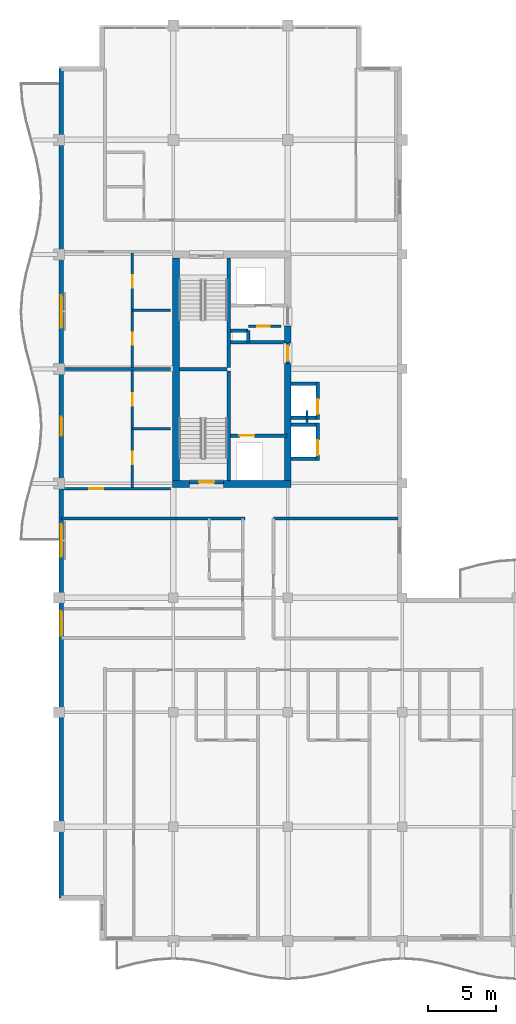
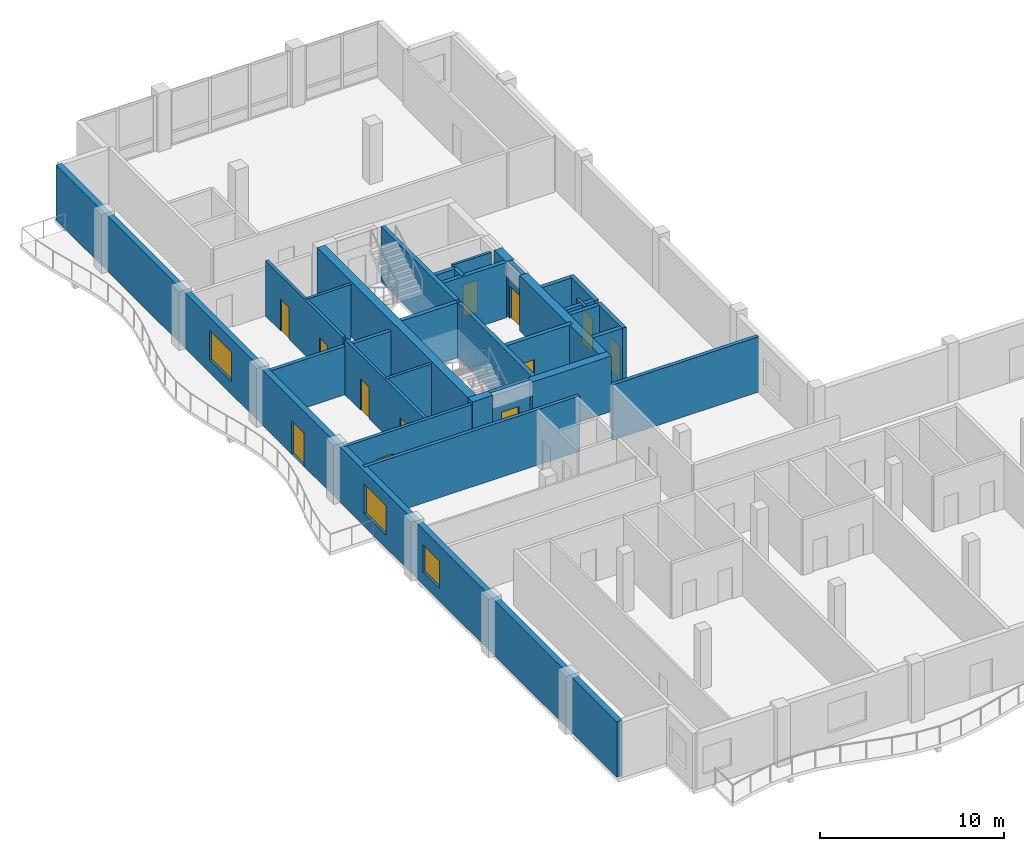
# One storey, part 9 of 17: 31 walls, 12 doors, 3 windows, 15 openings.
"""IFC4 building model written with IfcOpenShell, lengths in metres."""

from ifc_helpers import new_model, si_unit, direction, frame, frame_2d, origin, place, context, subcontext, project, spatial, rectangle, extrude, material, layer, layer_set, type_object, element, fill, save


model = new_model("IFC4")

# Units and contexts
model_context = context("Model", 3, precision=1e-05, world=origin(), true_north=direction((0.0, 1.0)))
body_context = subcontext(model_context, "Body", "Model", "MODEL_VIEW")
ifc_project = project(units=[si_unit("LENGTHUNIT", "METRE"), si_unit("AREAUNIT", "SQUARE_METRE"), si_unit("VOLUMEUNIT", "CUBIC_METRE"), si_unit("PLANEANGLEUNIT", "RADIAN"), si_unit("MASSUNIT", "GRAM", prefix="KILO")], contexts=[model_context])

# Site, building, storey
site_placement = place(None, origin())
site = spatial("IfcSite", under=ifc_project, at=site_placement, CompositionType="ELEMENT")
building_placement = place(site_placement, origin())
building = spatial("IfcBuilding", under=site, at=building_placement, Name="Koriwani Terraces Tower", CompositionType="ELEMENT")
storey_placement = place(building_placement, frame((0.0, 0.0, 316.39990234375)))
storey = spatial("IfcBuildingStorey", under=building, at=storey_placement, Name="L78", CompositionType="ELEMENT", Elevation=316.39990234375)

# Walls
ifc_material_1 = material(Name="Concrete C50/60", Category="concrete")
ifc_layer_1 = layer(ifc_material_1, 0.5, Name="Concrete C50/60")
ifc_layer_set_1 = layer_set([ifc_layer_1], Name="Concrete C50/60")
wall_type_1 = type_object("IfcWallType", Name="WALL_CORE_RC_500", PredefinedType="SHEAR", material=ifc_layer_set_1)
wall_1_placement = place(storey_placement, frame((16.75, 41.949951171875, 0.0), z_axis=(0.0, 0.0, 1.0), x_axis=(1.0, 0.0, 0.0)))
element("IfcWall", 1, at=wall_1_placement, inside=storey, type_object=wall_type_1, Name="L78 West Split Core Shear Wall S1", PredefinedType="SHEAR", context=body_context, shape_type="SweptSolid", body=[
    extrude(rectangle(XDim=1.25, YDim=0.5, at=frame_2d((0.625, 0.0))), origin(), (0.0, 0.0, 1.0), 3.670166015625),
])
wall_2_placement = place(storey_placement, frame((20.5, 41.949951171875, 0.0), z_axis=(0.0, 0.0, 1.0), x_axis=(1.0, 0.0, 0.0)))
element("IfcWall", 2, at=wall_2_placement, inside=storey, type_object=wall_type_1, Name="L78 West Split Core Shear Wall S2", PredefinedType="SHEAR", context=body_context, shape_type="SweptSolid", body=[
    extrude(rectangle(XDim=4.949951171875, YDim=0.5, at=frame_2d((2.47509765625, 0.0))), origin(), (0.0, 0.0, 1.0), 3.670166015625),
])
wall_3_placement = place(storey_placement, frame((17.0, 42.199951171875, 0.0), z_axis=(0.0, 0.0, 1.0), x_axis=(0.0, 1.0, 0.0)))
element("IfcWall", 3, at=wall_3_placement, inside=storey, type_object=wall_type_1, Name="L78 West Split Core Shear Wall W1", PredefinedType="SHEAR", context=body_context, shape_type="SweptSolid", body=[
    extrude(rectangle(XDim=16.35009765625, YDim=0.5, at=frame_2d((8.175048828125, 0.0))), origin(), (0.0, 0.0, 1.0), 3.670166015625),
])
wall_4_placement = place(storey_placement, frame((25.199951171875, 42.199951171875, 0.0), z_axis=(0.0, 0.0, 1.0), x_axis=(0.0, 1.0, 0.0)))
element("IfcWall", 4, at=wall_4_placement, inside=storey, type_object=wall_type_1, Name="L78 West Split Core Shear Wall E1", PredefinedType="SHEAR", context=body_context, shape_type="SweptSolid", body=[
    extrude(rectangle(XDim=8.60009765625, YDim=0.5, at=frame_2d((4.300048828125, 0.0))), origin(), (0.0, 0.0, 1.0), 3.670166015625),
])
wall_5_placement = place(storey_placement, frame((25.199951171875, 52.280029296875, 0.0), z_axis=(0.0, 0.0, 1.0), x_axis=(0.0, 1.0, 0.0)))
element("IfcWall", 5, at=wall_5_placement, inside=storey, type_object=wall_type_1, Name="L78 West Split Core Shear Wall E2", PredefinedType="SHEAR", context=body_context, shape_type="SweptSolid", body=[
    extrude(rectangle(XDim=1.27001953125, YDim=0.5, at=frame_2d((0.635009765625, 0.0))), origin(), (0.0, 0.0, 1.0), 3.670166015625),
])

# Wall, opening, door
ifc_material_2 = material(Name="Autoclaved Cellular Concrete Blockwork", Category="masonry")
ifc_layer_2 = layer(ifc_material_2, 0.199951171875, Name="Autoclaved Cellular Concrete Blockwork")
ifc_layer_set_2 = layer_set([ifc_layer_2], Name="Autoclaved Cellular Concrete Blockwork")
wall_type_2 = type_object("IfcWallType", Name="WALL_CORRIDOR_200", PredefinedType="PARTITIONING", material=ifc_layer_set_2)
wall_6_placement = place(storey_placement, frame((8.64990234375, 41.60009765625, 0.0), z_axis=(0.0, 0.0, 1.0), x_axis=(1.0, 0.0, 0.0)))
wall_6 = element("IfcWall", 6, at=wall_6_placement, inside=storey, type_object=wall_type_2, Name="L78 Interior Wall WRZ4-WS-L78", PredefinedType="PARTITIONING", context=body_context, shape_type="SweptSolid", body=[
    extrude(rectangle(XDim=7.9501953125, YDim=0.199951171875, at=frame_2d((3.97509765625, 0.0))), origin(), (0.0, 0.0, 1.0), 3.670166015625),
])
opening_1_placement = place(wall_6_placement, frame((2.0, 0.0, 0.0)))
opening_1 = element("IfcOpeningElement", 7, at=opening_1_placement, cuts=wall_6, Name="Opening D-05", PredefinedType="OPENING", context=body_context, shape_type="SweptSolid", body=[
    extrude(rectangle(XDim=1.0, YDim=2.14990234375, at=frame_2d((0.5, 1.074951171875))), frame((0.0, 0.10986328125, 0.0), z_axis=(0.0, -1.0, 0.0), x_axis=(1.0, 0.0, 0.0)), (0.0, 0.0, 1.0), 0.219970703125),
])
ifc_material_3 = material(Name="Architectural Oak Fire Door", Category="wood")
door_type_1 = type_object("IfcDoorType", Name="DOOR_SUITE_ENTRY_1000X2150", OperationType="NOTDEFINED", PredefinedType="DOOR", material=ifc_material_3)
door_1_placement = place(opening_1_placement, origin())
door_1 = element("IfcDoor", 8, at=door_1_placement, inside=storey, type_object=door_type_1, Name="Apartment 78RW1 Entrance Door", OperationType="SINGLE_SWING_LEFT", OverallHeight=2.14990234375, OverallWidth=1.0, PredefinedType="DOOR", context=body_context, shape_type="SweptSolid", body=[
    extrude(rectangle(XDim=1.0, YDim=2.14990234375, at=frame_2d((0.5, 1.074951171875))), frame((0.0, 0.02490234375, 0.0), z_axis=(0.0, -1.0, 0.0), x_axis=(1.0, 0.0, 0.0)), (0.0, 0.0, 1.0), 0.050048828125),
])
fill(opening_1, door_1)

# Walls
ifc_layer_3 = layer(ifc_material_2, 0.219970703125, Name="Autoclaved Cellular Concrete Blockwork")
ifc_layer_set_3 = layer_set([ifc_layer_3], Name="Autoclaved Cellular Concrete Blockwork")
wall_type_3 = type_object("IfcWallType", Name="WALL_DEMISING_220", PredefinedType="PARTITIONING", material=ifc_layer_set_3)
wall_7_placement = place(storey_placement, frame((24.14990234375, 39.39990234375, 0.0), z_axis=(0.0, 0.0, 1.0), x_axis=(1.0, 0.0, 0.0)))
element("IfcWall", 9, at=wall_7_placement, inside=storey, type_object=wall_type_3, Name="L78 Interior Wall WIC4WN-L78", PredefinedType="PARTITIONING", context=body_context, shape_type="SweptSolid", body=[
    extrude(rectangle(XDim=9.150146484375, YDim=0.219970703125, at=frame_2d((4.5751953125, 0.0))), origin(), (0.0, 0.0, 1.0), 3.670166015625),
])
wall_8_placement = place(storey_placement, frame((8.64990234375, 50.39990234375, 0.0), z_axis=(0.0, 0.0, 1.0), x_axis=(1.0, 0.0, 0.0)))
element("IfcWall", 10, at=wall_8_placement, inside=storey, type_object=wall_type_3, Name="L78 Interior Wall WRZ4-WM-L78", PredefinedType="PARTITIONING", context=body_context, shape_type="SweptSolid", body=[
    extrude(rectangle(XDim=7.9501953125, YDim=0.219970703125, at=frame_2d((3.97509765625, 0.0))), origin(), (0.0, 0.0, 1.0), 3.20703125),
])
wall_9_placement = place(storey_placement, frame((8.60009765625, 39.39990234375, 0.0), z_axis=(0.0, 0.0, 1.0), x_axis=(1.0, 0.0, 0.0)))
element("IfcWall", 11, at=wall_9_placement, inside=storey, type_object=wall_type_3, Name="L78 Interior Wall WRDEME-L78-NE", PredefinedType="PARTITIONING", context=body_context, shape_type="SweptSolid", body=[
    extrude(rectangle(XDim=13.47998046875, YDim=0.219970703125, at=frame_2d((6.739990234375, 0.0))), origin(), (0.0, 0.0, 1.0), 3.670166015625),
])

# Wall, openings, door, windows
ifc_layer_4 = layer(ifc_material_1, 0.35009765625, Name="Concrete C50/60")
ifc_layer_set_4 = layer_set([ifc_layer_4], Name="Concrete C50/60")
wall_type_4 = type_object("IfcWallType", Name="WALL_EXT_BRUTALIST_350", PredefinedType="STANDARD", material=ifc_layer_set_4)
wall_10_placement = place(storey_placement, frame((8.574951171875, 11.574951171875, 0.0), z_axis=(0.0, 0.0, 1.0), x_axis=(0.0, 1.0, 0.0)))
wall_10 = element("IfcWall", 12, at=wall_10_placement, inside=storey, type_object=wall_type_4, Name="L78 Fair-Faced Brutalist Exterior Wall (W)", PredefinedType="STANDARD", context=body_context, shape_type="SweptSolid", body=[
    extrude(rectangle(XDim=60.85009765625, YDim=0.35009765625, at=frame_2d((30.425048828125, 0.0))), origin(), (0.0, 0.0, 1.0), 3.670166015625),
])
opening_2_placement = place(wall_10_placement, frame((33.925048828125, 0.0, 0.0)))
opening_2 = element("IfcOpeningElement", 13, at=opening_2_placement, cuts=wall_10, Name="Opening D-09", PredefinedType="OPENING", context=body_context, shape_type="SweptSolid", body=[
    extrude(rectangle(XDim=1.39990234375, YDim=2.199951171875, at=frame_2d((0.699951171875, 1.10009765625))), frame((0.0, 0.18505859375, 0.0), z_axis=(0.0, -1.0, 0.0), x_axis=(1.0, 0.0, 0.0)), (0.0, 0.0, 1.0), 0.3701171875),
])
opening_3_placement = place(wall_10_placement, frame((25.02490234375, 0.0, 0.85009765625)))
opening_3 = element("IfcOpeningElement", 14, at=opening_3_placement, cuts=wall_10, Name="Opening W-03", PredefinedType="OPENING", context=body_context, shape_type="SweptSolid", body=[
    extrude(rectangle(XDim=2.39990234375, YDim=1.949951171875, at=frame_2d((1.199951171875, 0.97509765625))), frame((0.0, 0.18505859375, 0.0), z_axis=(0.0, -1.0, 0.0), x_axis=(1.0, 0.0, 0.0)), (0.0, 0.0, 1.0), 0.3701171875),
])
opening_4_placement = place(wall_10_placement, frame((41.824951171875, 0.0, 0.85009765625)))
opening_4 = element("IfcOpeningElement", 15, at=opening_4_placement, cuts=wall_10, Name="Opening W-03", PredefinedType="OPENING", context=body_context, shape_type="SweptSolid", body=[
    extrude(rectangle(XDim=2.39990234375, YDim=1.949951171875, at=frame_2d((1.199951171875, 0.97509765625))), frame((0.0, 0.18505859375, 0.0), z_axis=(0.0, -1.0, 0.0), x_axis=(1.0, 0.0, 0.0)), (0.0, 0.0, 1.0), 0.3701171875),
])
opening_5_placement = place(wall_10_placement, frame((19.25, 0.0, 0.85009765625)))
opening_5 = element("IfcOpeningElement", 16, at=opening_5_placement, cuts=wall_10, Name="Opening W-04", PredefinedType="OPENING", context=body_context, shape_type="SweptSolid", body=[
    extrude(rectangle(XDim=1.800048828125, YDim=1.800048828125, at=frame_2d((0.89990234375, 0.89990234375))), frame((0.0, 0.18505859375, 0.0), z_axis=(0.0, -1.0, 0.0), x_axis=(1.0, 0.0, 0.0)), (0.0, 0.0, 1.0), 0.3701171875),
])
ifc_material_4 = material(Name="Anodised Bronze Aluminium", Category="aluminium")
door_type_2 = type_object("IfcDoorType", Name="DOOR_BALCONY_GLAZED_1400X2200", OperationType="NOTDEFINED", PredefinedType="DOOR", material=ifc_material_4)
door_2_placement = place(opening_2_placement, origin())
door_2 = element("IfcDoor", 17, at=door_2_placement, inside=storey, type_object=door_type_2, Name="L78 West Balcony Glazed Door", OperationType="SINGLE_SWING_LEFT", OverallHeight=2.199951171875, OverallWidth=1.39990234375, PredefinedType="DOOR", context=body_context, shape_type="SweptSolid", body=[
    extrude(rectangle(XDim=1.39990234375, YDim=2.199951171875, at=frame_2d((0.699951171875, 1.10009765625))), frame((0.0, 0.02490234375, 0.0), z_axis=(0.0, -1.0, 0.0), x_axis=(1.0, 0.0, 0.0)), (0.0, 0.0, 1.0), 0.050048828125),
])
fill(opening_2, door_2)
ifc_material_5 = material(Name="Tempered Laminated Low-E Glass", Category="glass")
window_type_1 = type_object("IfcWindowType", Name="WIN_RES_BED_1800X1800", PartitioningType="DOUBLE_PANEL_VERTICAL", PredefinedType="WINDOW", material=ifc_material_5)
window_1_placement = place(opening_5_placement, origin())
window_1 = element("IfcWindow", 18, at=window_1_placement, inside=storey, type_object=window_type_1, Name="L78 Exterior Window (W-R42)", OverallHeight=1.800048828125, OverallWidth=1.800048828125, PartitioningType="SINGLE_PANEL", PredefinedType="WINDOW", context=body_context, shape_type="SweptSolid", body=[
    extrude(rectangle(XDim=1.800048828125, YDim=1.800048828125, at=frame_2d((0.89990234375, 0.89990234375))), frame((0.0, 0.030029296875, 0.0), z_axis=(0.0, -1.0, 0.0), x_axis=(1.0, 0.0, 0.0)), (0.0, 0.0, 1.0), 0.06005859375),
])
fill(opening_5, window_1)
window_type_2 = type_object("IfcWindowType", Name="WIN_RES_LIVING_2400X1950", PartitioningType="DOUBLE_PANEL_VERTICAL", PredefinedType="WINDOW", material=ifc_material_5)
window_2_placement = place(opening_3_placement, origin())
window_2 = element("IfcWindow", 19, at=window_2_placement, inside=storey, type_object=window_type_2, Name="L78 Exterior Window (W-9)", OverallHeight=1.949951171875, OverallWidth=2.39990234375, PartitioningType="SINGLE_PANEL", PredefinedType="WINDOW", context=body_context, shape_type="SweptSolid", body=[
    extrude(rectangle(XDim=2.39990234375, YDim=1.949951171875, at=frame_2d((1.199951171875, 0.97509765625))), frame((0.0, 0.030029296875, 0.0), z_axis=(0.0, -1.0, 0.0), x_axis=(1.0, 0.0, 0.0)), (0.0, 0.0, 1.0), 0.06005859375),
])
fill(opening_3, window_2)
window_3_placement = place(opening_4_placement, origin())
window_3 = element("IfcWindow", 20, at=window_3_placement, inside=storey, type_object=window_type_2, Name="L78 Exterior Window (W-15)", OverallHeight=1.949951171875, OverallWidth=2.39990234375, PartitioningType="SINGLE_PANEL", PredefinedType="WINDOW", context=body_context, shape_type="SweptSolid", body=[
    extrude(rectangle(XDim=2.39990234375, YDim=1.949951171875, at=frame_2d((1.199951171875, 0.97509765625))), frame((0.0, 0.030029296875, 0.0), z_axis=(0.0, -1.0, 0.0), x_axis=(1.0, 0.0, 0.0)), (0.0, 0.0, 1.0), 0.06005859375),
])
fill(opening_4, window_3)

# Wall, openings, doors
ifc_material_6 = material(Name="Fire-Rated Acoustic Gypsum Partition", Category="masonry")
ifc_layer_5 = layer(ifc_material_6, 0.179931640625, Name="Fire-Rated Acoustic Gypsum Partition")
ifc_layer_set_5 = layer_set([ifc_layer_5], Name="Fire-Rated Acoustic Gypsum Partition")
wall_type_5 = type_object("IfcWallType", Name="WALL_PLUMBING_180", PredefinedType="PLUMBINGWALL", material=ifc_layer_set_5)
wall_11_placement = place(storey_placement, frame((13.800048828125, 41.699951171875, 0.0), z_axis=(0.0, 0.0, 1.0), x_axis=(0.0, 1.0, 0.0)))
wall_11 = element("IfcWall", 21, at=wall_11_placement, inside=storey, type_object=wall_type_5, Name="L78 Interior Wall WRZ4-RW1-PB-L78", PredefinedType="PLUMBINGWALL", context=body_context, shape_type="SweptSolid", body=[
    extrude(rectangle(XDim=8.60009765625, YDim=0.179931640625, at=frame_2d((4.300048828125, 0.0))), origin(), (0.0, 0.0, 1.0), 3.670166015625),
])
opening_6_placement = place(wall_11_placement, frame((1.699951171875, 0.0, 0.0)))
opening_6 = element("IfcOpeningElement", 22, at=opening_6_placement, cuts=wall_11, Name="Opening D-07", PredefinedType="OPENING", context=body_context, shape_type="SweptSolid", body=[
    extrude(rectangle(XDim=0.89990234375, YDim=2.10009765625, at=frame_2d((0.449951171875, 1.050048828125))), frame((0.0, 0.10009765625, 0.0), z_axis=(0.0, -1.0, 0.0), x_axis=(1.0, 0.0, 0.0)), (0.0, 0.0, 1.0), 0.199951171875),
])
opening_7_placement = place(wall_11_placement, frame((5.989990234375, 0.0, 0.0)))
opening_7 = element("IfcOpeningElement", 23, at=opening_7_placement, cuts=wall_11, Name="Opening D-06", PredefinedType="OPENING", context=body_context, shape_type="SweptSolid", body=[
    extrude(rectangle(XDim=0.919921875, YDim=2.10009765625, at=frame_2d((0.4599609375, 1.050048828125))), frame((0.0, 0.10009765625, 0.0), z_axis=(0.0, -1.0, 0.0), x_axis=(1.0, 0.0, 0.0)), (0.0, 0.0, 1.0), 0.199951171875),
])
door_type_3 = type_object("IfcDoorType", Name="DOOR_BATH_INT_900X2100", OperationType="NOTDEFINED", PredefinedType="DOOR", material=ifc_material_3)
door_3_placement = place(opening_6_placement, origin())
door_3 = element("IfcDoor", 24, at=door_3_placement, inside=storey, type_object=door_type_3, Name="Apartment 78RW1 Bathroom Door", OperationType="SINGLE_SWING_LEFT", OverallHeight=2.10009765625, OverallWidth=0.89990234375, PredefinedType="DOOR", context=body_context, shape_type="SweptSolid", body=[
    extrude(rectangle(XDim=0.89990234375, YDim=2.10009765625, at=frame_2d((0.449951171875, 1.050048828125))), frame((0.0, 0.02490234375, 0.0), z_axis=(0.0, -1.0, 0.0), x_axis=(1.0, 0.0, 0.0)), (0.0, 0.0, 1.0), 0.050048828125),
])
fill(opening_6, door_3)
door_type_4 = type_object("IfcDoorType", Name="DOOR_ROOM_INT_920X2100", OperationType="NOTDEFINED", PredefinedType="DOOR", material=ifc_material_3)
door_4_placement = place(opening_7_placement, origin())
door_4 = element("IfcDoor", 25, at=door_4_placement, inside=storey, type_object=door_type_4, Name="Apartment 78RW1 Kitchen Door", OperationType="SINGLE_SWING_RIGHT", OverallHeight=2.10009765625, OverallWidth=0.919921875, PredefinedType="DOOR", context=body_context, shape_type="SweptSolid", body=[
    extrude(rectangle(XDim=0.919921875, YDim=2.10009765625, at=frame_2d((0.4599609375, 1.050048828125))), frame((0.0, 0.02490234375, 0.0), z_axis=(0.0, -1.0, 0.0), x_axis=(1.0, 0.0, 0.0)), (0.0, 0.0, 1.0), 0.050048828125),
])
fill(opening_7, door_4)

# Wall
wall_12_placement = place(storey_placement, frame((13.800048828125, 46.0, 0.0), z_axis=(0.0, 0.0, 1.0), x_axis=(1.0, 0.0, 0.0)))
element("IfcWall", 26, at=wall_12_placement, inside=storey, type_object=wall_type_5, Name="L78 Interior Wall WRZ4-RW1-P2-L78", PredefinedType="PLUMBINGWALL", context=body_context, shape_type="SweptSolid", body=[
    extrude(rectangle(XDim=2.800048828125, YDim=0.179931640625, at=frame_2d((1.39990234375, 0.0))), origin(), (0.0, 0.0, 1.0), 3.670166015625),
])

# Wall, openings, doors
wall_13_placement = place(storey_placement, frame((13.800048828125, 50.5, 0.0), z_axis=(0.0, 0.0, 1.0), x_axis=(0.0, 1.0, 0.0)))
wall_13 = element("IfcWall", 27, at=wall_13_placement, inside=storey, type_object=wall_type_5, Name="L78 Interior Wall WRZ4-RW2-PB-L78", PredefinedType="PLUMBINGWALL", context=body_context, shape_type="SweptSolid", body=[
    extrude(rectangle(XDim=8.39990234375, YDim=0.179931640625, at=frame_2d((4.199951171875, 0.0))), origin(), (0.0, 0.0, 1.0), 3.670166015625),
])
opening_8_placement = place(wall_13_placement, frame((1.64990234375, 0.0, 0.0)))
opening_8 = element("IfcOpeningElement", 28, at=opening_8_placement, cuts=wall_13, Name="Opening D-07", PredefinedType="OPENING", context=body_context, shape_type="SweptSolid", body=[
    extrude(rectangle(XDim=0.89990234375, YDim=2.10009765625, at=frame_2d((0.449951171875, 1.050048828125))), frame((0.0, 0.10009765625, 0.0), z_axis=(0.0, -1.0, 0.0), x_axis=(1.0, 0.0, 0.0)), (0.0, 0.0, 1.0), 0.199951171875),
])
opening_9_placement = place(wall_13_placement, frame((5.840087890625, 0.0, 0.0)))
opening_9 = element("IfcOpeningElement", 29, at=opening_9_placement, cuts=wall_13, Name="Opening D-06", PredefinedType="OPENING", context=body_context, shape_type="SweptSolid", body=[
    extrude(rectangle(XDim=0.919921875, YDim=2.10009765625, at=frame_2d((0.4599609375, 1.050048828125))), frame((0.0, 0.10009765625, 0.0), z_axis=(0.0, -1.0, 0.0), x_axis=(1.0, 0.0, 0.0)), (0.0, 0.0, 1.0), 0.199951171875),
])
door_5_placement = place(opening_8_placement, origin())
door_5 = element("IfcDoor", 30, at=door_5_placement, inside=storey, type_object=door_type_3, Name="Apartment 78RW2 Bathroom Door", OperationType="SINGLE_SWING_LEFT", OverallHeight=2.10009765625, OverallWidth=0.89990234375, PredefinedType="DOOR", context=body_context, shape_type="SweptSolid", body=[
    extrude(rectangle(XDim=0.89990234375, YDim=2.10009765625, at=frame_2d((0.449951171875, 1.050048828125))), frame((0.0, 0.02490234375, 0.0), z_axis=(0.0, -1.0, 0.0), x_axis=(1.0, 0.0, 0.0)), (0.0, 0.0, 1.0), 0.050048828125),
])
fill(opening_8, door_5)
door_6_placement = place(opening_9_placement, origin())
door_6 = element("IfcDoor", 31, at=door_6_placement, inside=storey, type_object=door_type_4, Name="Apartment 78RW2 Kitchen Door", OperationType="SINGLE_SWING_RIGHT", OverallHeight=2.10009765625, OverallWidth=0.919921875, PredefinedType="DOOR", context=body_context, shape_type="SweptSolid", body=[
    extrude(rectangle(XDim=0.919921875, YDim=2.10009765625, at=frame_2d((0.4599609375, 1.050048828125))), frame((0.0, 0.02490234375, 0.0), z_axis=(0.0, -1.0, 0.0), x_axis=(1.0, 0.0, 0.0)), (0.0, 0.0, 1.0), 0.050048828125),
])
fill(opening_9, door_6)

# Walls
wall_14_placement = place(storey_placement, frame((13.800048828125, 54.699951171875, 0.0), z_axis=(0.0, 0.0, 1.0), x_axis=(1.0, 0.0, 0.0)))
element("IfcWall", 32, at=wall_14_placement, inside=storey, type_object=wall_type_5, Name="L78 Interior Wall WRZ4-RW2-P2-L78", PredefinedType="PLUMBINGWALL", context=body_context, shape_type="SweptSolid", body=[
    extrude(rectangle(XDim=2.800048828125, YDim=0.179931640625, at=frame_2d((1.39990234375, 0.0))), origin(), (0.0, 0.0, 1.0), 3.670166015625),
])
ifc_material_7 = material(Name="Concrete C40/50", Category="concrete")
ifc_layer_6 = layer(ifc_material_7, 0.25, Name="Concrete C40/50")
ifc_layer_set_6 = layer_set([ifc_layer_6], Name="Concrete C40/50")
wall_type_6 = type_object("IfcWallType", Name="WALL_SHAFT_RATED_250", PredefinedType="SOLIDWALL", material=ifc_layer_set_6)
for number, where, z_axis, x_axis, name in (
    (33, (20.875, 42.199951171875, 0.0), (0.0, 0.0, 1.0), (0.0, 1.0, 0.0), "L78 West Split Core Web Wall MID1"),
    (34, (20.875, 50.5, 0.0), (0.0, 0.0, 1.0), (0.0, 1.0, 0.0), "L78 West Split Core Web Wall MID2"),
):
    element("IfcWall", number, at=place(storey_placement, frame(where, z_axis=z_axis, x_axis=x_axis)), inside=storey, type_object=wall_type_6, Name=name, PredefinedType="SOLIDWALL", context=body_context, shape_type="SweptSolid", body=[
        extrude(rectangle(XDim=8.050048828125, YDim=0.25, at=frame_2d((4.02490234375, 0.0))), origin(), (0.0, 0.0, 1.0), 3.670166015625),
    ])
wall_15_placement = place(storey_placement, frame((17.25, 50.375, 0.0), z_axis=(0.0, 0.0, 1.0), x_axis=(1.0, 0.0, 0.0)))
element("IfcWall", 35, at=wall_15_placement, inside=storey, type_object=wall_type_6, Name="L78 West Split Core Stair Dividing Wall", PredefinedType="SOLIDWALL", context=body_context, shape_type="SweptSolid", body=[
    extrude(rectangle(XDim=3.5, YDim=0.25, at=frame_2d((1.75, 0.0))), origin(), (0.0, 0.0, 1.0), 3.670166015625),
])

# Wall, opening, door
wall_16_placement = place(storey_placement, frame((18.0, 42.074951171875, 0.0), z_axis=(0.0, 0.0, 1.0), x_axis=(1.0, 0.0, 0.0)))
wall_16 = element("IfcWall", 36, at=wall_16_placement, inside=storey, type_object=wall_type_6, Name="L78 Interior Wall WIN-CW-L78-STS", PredefinedType="SOLIDWALL", context=body_context, shape_type="SweptSolid", body=[
    extrude(rectangle(XDim=2.5, YDim=0.25, at=frame_2d((1.25, 0.0))), origin(), (0.0, 0.0, 1.0), 3.670166015625),
])
opening_10_placement = place(wall_16_placement, frame((0.699951171875, 0.0, 0.0)))
opening_10 = element("IfcOpeningElement", 37, at=opening_10_placement, cuts=wall_16, Name="Opening D-03", PredefinedType="OPENING", context=body_context, shape_type="SweptSolid", body=[
    extrude(rectangle(XDim=1.10009765625, YDim=2.14990234375, at=frame_2d((0.550048828125, 1.074951171875))), frame((0.0, 0.135009765625, 0.0), z_axis=(0.0, -1.0, 0.0), x_axis=(1.0, 0.0, 0.0)), (0.0, 0.0, 1.0), 0.27001953125),
])
ifc_material_8 = material(Name="Steel ASTM A572 Grade 50", Category="steel")
door_type_5 = type_object("IfcDoorType", Name="DOOR_STAIR_FIRE_1100X2150", OperationType="NOTDEFINED", PredefinedType="DOOR", material=ifc_material_8)
door_7_placement = place(opening_10_placement, origin())
door_7 = element("IfcDoor", 38, at=door_7_placement, inside=storey, type_object=door_type_5, Name="L78 Exit Stair ST-W1 Door", OperationType="SINGLE_SWING_RIGHT", OverallHeight=2.14990234375, OverallWidth=1.10009765625, PredefinedType="DOOR", context=body_context, shape_type="SweptSolid", body=[
    extrude(rectangle(XDim=1.10009765625, YDim=2.14990234375, at=frame_2d((0.550048828125, 1.074951171875))), frame((0.0, 0.02490234375, 0.0), z_axis=(0.0, -1.0, 0.0), x_axis=(1.0, 0.0, 0.0)), (0.0, 0.0, 1.0), 0.050048828125),
])
fill(opening_10, door_7)

wall_17_placement = place(storey_placement, frame((21.0, 45.5, 0.0), z_axis=(0.0, 0.0, 1.0), x_axis=(1.0, 0.0, 0.0)))
wall_17 = element("IfcWall", 39, at=wall_17_placement, inside=storey, type_object=wall_type_6, Name="L78 Interior Wall WIN-CW-L78-FE", PredefinedType="SOLIDWALL", context=body_context, shape_type="SweptSolid", body=[
    extrude(rectangle(XDim=4.14990234375, YDim=0.25, at=frame_2d((2.074951171875, 0.0))), origin(), (0.0, 0.0, 1.0), 3.670166015625),
])
opening_11_placement = place(wall_17_placement, frame((0.64990234375, 0.0, 0.0)))
opening_11 = element("IfcOpeningElement", 40, at=opening_11_placement, cuts=wall_17, Name="Opening LD-01", PredefinedType="OPENING", context=body_context, shape_type="SweptSolid", body=[
    extrude(rectangle(XDim=1.10009765625, YDim=2.14990234375, at=frame_2d((0.550048828125, 1.074951171875))), frame((0.0, 0.135009765625, 0.0), z_axis=(0.0, -1.0, 0.0), x_axis=(1.0, 0.0, 0.0)), (0.0, 0.0, 1.0), 0.27001953125),
])
door_type_6 = type_object("IfcDoorType", Name="DOOR_LIFT_LANDING_1100X2200", OperationType="NOTDEFINED", PredefinedType="DOOR", material=ifc_material_8)
door_8_placement = place(opening_11_placement, origin())
door_8 = element("IfcDoor", 41, at=door_8_placement, inside=storey, type_object=door_type_6, Name="L78 Firefighting Lift FE-01 Landing Door", OperationType="SLIDING_TO_LEFT", OverallHeight=2.14990234375, OverallWidth=1.10009765625, PredefinedType="DOOR", context=body_context, shape_type="SweptSolid", body=[
    extrude(rectangle(XDim=1.10009765625, YDim=2.14990234375, at=frame_2d((0.550048828125, 1.074951171875))), frame((0.0, 0.02490234375, 0.0), z_axis=(0.0, -1.0, 0.0), x_axis=(1.0, 0.0, 0.0)), (0.0, 0.0, 1.0), 0.050048828125),
])
fill(opening_11, door_8)

wall_18_placement = place(storey_placement, frame((25.199951171875, 50.800048828125, 0.0), z_axis=(0.0, 0.0, 1.0), x_axis=(0.0, 1.0, 0.0)))
wall_18 = element("IfcWall", 42, at=wall_18_placement, inside=storey, type_object=wall_type_6, Name="L78 Interior Wall WIN-CW-L78-EP", PredefinedType="SOLIDWALL", context=body_context, shape_type="SweptSolid", body=[
    extrude(rectangle(XDim=1.47998046875, YDim=0.25, at=frame_2d((0.739990234375, 0.0))), origin(), (0.0, 0.0, 1.0), 3.670166015625),
])
opening_12_placement = place(wall_18_placement, frame((0.179931640625, 0.0, 0.0)))
opening_12 = element("IfcOpeningElement", 43, at=opening_12_placement, cuts=wall_18, Name="Opening D-03", PredefinedType="OPENING", context=body_context, shape_type="SweptSolid", body=[
    extrude(rectangle(XDim=1.10009765625, YDim=2.14990234375, at=frame_2d((0.550048828125, 1.074951171875))), frame((0.0, 0.135009765625, 0.0), z_axis=(0.0, -1.0, 0.0), x_axis=(1.0, 0.0, 0.0)), (0.0, 0.0, 1.0), 0.27001953125),
])
door_9_placement = place(opening_12_placement, origin())
door_9 = element("IfcDoor", 44, at=door_9_placement, inside=storey, type_object=door_type_5, Name="L78 West Firefighting Lobby Door", OperationType="SINGLE_SWING_RIGHT", OverallHeight=2.14990234375, OverallWidth=1.10009765625, PredefinedType="DOOR", context=body_context, shape_type="SweptSolid", body=[
    extrude(rectangle(XDim=1.10009765625, YDim=2.14990234375, at=frame_2d((0.550048828125, 1.074951171875))), frame((0.0, 0.02490234375, 0.0), z_axis=(0.0, -1.0, 0.0), x_axis=(1.0, 0.0, 0.0)), (0.0, 0.0, 1.0), 0.050048828125),
])
fill(opening_12, door_9)

# Walls
wall_19_placement = place(storey_placement, frame((21.0, 52.340087890625, 0.0), z_axis=(0.0, 0.0, 1.0), x_axis=(1.0, 0.0, 0.0)))
element("IfcWall", 45, at=wall_19_placement, inside=storey, type_object=wall_type_6, Name="L78 Interior Wall WIN-CW-L78-FFN", PredefinedType="SOLIDWALL", context=body_context, shape_type="SweptSolid", body=[
    extrude(rectangle(XDim=3.949951171875, YDim=0.25, at=frame_2d((1.97509765625, 0.0))), origin(), (0.0, 0.0, 1.0), 3.670166015625),
])
wall_20_placement = place(storey_placement, frame((21.0, 53.199951171875, 0.0), z_axis=(0.0, 0.0, 1.0), x_axis=(1.0, 0.0, 0.0)))
element("IfcWall", 46, at=wall_20_placement, inside=storey, type_object=wall_type_6, Name="L78 Interior Wall WIN-CW-L78-RS1", PredefinedType="SOLIDWALL", context=body_context, shape_type="SweptSolid", body=[
    extrude(rectangle(XDim=1.300048828125, YDim=0.25, at=frame_2d((0.64990234375, 0.0))), origin(), (0.0, 0.0, 1.0), 3.670166015625),
])
wall_21_placement = place(storey_placement, frame((22.300048828125, 52.360107421875, 0.0), z_axis=(0.0, 0.0, 1.0), x_axis=(0.0, 1.0, 0.0)))
element("IfcWall", 47, at=wall_21_placement, inside=storey, type_object=wall_type_6, Name="L78 Interior Wall WIN-CW-L78-RS2", PredefinedType="SOLIDWALL", context=body_context, shape_type="SweptSolid", body=[
    extrude(rectangle(XDim=0.83984375, YDim=0.25, at=frame_2d((0.419921875, 0.0))), origin(), (0.0, 0.0, 1.0), 3.670166015625),
])

# Wall, opening, door
wall_22_placement = place(storey_placement, frame((27.39990234375, 43.675048828125, 0.0), z_axis=(0.0, 0.0, 1.0), x_axis=(0.0, 1.0, 0.0)))
wall_22 = element("IfcWall", 48, at=wall_22_placement, inside=storey, type_object=wall_type_6, Name="L78 Interior Wall WIN-LF-PE-H1-L78-F", PredefinedType="SOLIDWALL", context=body_context, shape_type="SweptSolid", body=[
    extrude(rectangle(XDim=2.75, YDim=0.25, at=frame_2d((1.375, 0.0))), origin(), (0.0, 0.0, 1.0), 3.670166015625),
])
opening_13_placement = place(wall_22_placement, frame((0.39990234375, 0.0, 0.0)))
opening_13 = element("IfcOpeningElement", 49, at=opening_13_placement, cuts=wall_22, Name="Opening LD-01", PredefinedType="OPENING", context=body_context, shape_type="SweptSolid", body=[
    extrude(rectangle(XDim=1.10009765625, YDim=2.14990234375, at=frame_2d((0.550048828125, 1.074951171875))), frame((0.0, 0.135009765625, 0.0), z_axis=(0.0, -1.0, 0.0), x_axis=(1.0, 0.0, 0.0)), (0.0, 0.0, 1.0), 0.27001953125),
])
door_10_placement = place(opening_13_placement, origin())
door_10 = element("IfcDoor", 50, at=door_10_placement, inside=storey, type_object=door_type_6, Name="L78 Passenger Lift PE-H1 Landing Door", OperationType="SLIDING_TO_LEFT", OverallHeight=2.14990234375, OverallWidth=1.10009765625, PredefinedType="DOOR", context=body_context, shape_type="SweptSolid", body=[
    extrude(rectangle(XDim=1.10009765625, YDim=2.14990234375, at=frame_2d((0.550048828125, 1.074951171875))), frame((0.0, 0.02490234375, 0.0), z_axis=(0.0, -1.0, 0.0), x_axis=(1.0, 0.0, 0.0)), (0.0, 0.0, 1.0), 0.050048828125),
])
fill(opening_13, door_10)

# Walls
for number, where, z_axis, x_axis, name in (
    (51, (25.449951171875, 43.800048828125, 0.0), (0.0, 0.0, 1.0), (1.0, 0.0, 0.0), "L78 Interior Wall WIN-LF-PE-H1-L78-S"),
    (52, (25.449951171875, 46.300048828125, 0.0), (0.0, 0.0, 1.0), (1.0, 0.0, 0.0), "L78 Interior Wall WIN-LF-PE-H1-L78-N"),
):
    element("IfcWall", number, at=place(storey_placement, frame(where, z_axis=z_axis, x_axis=x_axis)), inside=storey, type_object=wall_type_6, Name=name, PredefinedType="SOLIDWALL", context=body_context, shape_type="SweptSolid", body=[
        extrude(rectangle(XDim=1.824951171875, YDim=0.25, at=frame_2d((0.91259765625, 0.0))), origin(), (0.0, 0.0, 1.0), 3.670166015625),
    ])

# Wall, opening, door
wall_23_placement = place(storey_placement, frame((27.39990234375, 46.675048828125, 0.0), z_axis=(0.0, 0.0, 1.0), x_axis=(0.0, 1.0, 0.0)))
wall_23 = element("IfcWall", 53, at=wall_23_placement, inside=storey, type_object=wall_type_6, Name="L78 Interior Wall WIN-LF-PE-H2-L78-F", PredefinedType="SOLIDWALL", context=body_context, shape_type="SweptSolid", body=[
    extrude(rectangle(XDim=2.75, YDim=0.25, at=frame_2d((1.375, 0.0))), origin(), (0.0, 0.0, 1.0), 3.670166015625),
])
opening_14_placement = place(wall_23_placement, frame((0.39990234375, 0.0, 0.0)))
opening_14 = element("IfcOpeningElement", 54, at=opening_14_placement, cuts=wall_23, Name="Opening LD-01", PredefinedType="OPENING", context=body_context, shape_type="SweptSolid", body=[
    extrude(rectangle(XDim=1.10009765625, YDim=2.14990234375, at=frame_2d((0.550048828125, 1.074951171875))), frame((0.0, 0.135009765625, 0.0), z_axis=(0.0, -1.0, 0.0), x_axis=(1.0, 0.0, 0.0)), (0.0, 0.0, 1.0), 0.27001953125),
])
door_11_placement = place(opening_14_placement, origin())
door_11 = element("IfcDoor", 55, at=door_11_placement, inside=storey, type_object=door_type_6, Name="L78 Passenger Lift PE-H2 Landing Door", OperationType="SLIDING_TO_LEFT", OverallHeight=2.14990234375, OverallWidth=1.10009765625, PredefinedType="DOOR", context=body_context, shape_type="SweptSolid", body=[
    extrude(rectangle(XDim=1.10009765625, YDim=2.14990234375, at=frame_2d((0.550048828125, 1.074951171875))), frame((0.0, 0.02490234375, 0.0), z_axis=(0.0, -1.0, 0.0), x_axis=(1.0, 0.0, 0.0)), (0.0, 0.0, 1.0), 0.050048828125),
])
fill(opening_14, door_11)

# Walls
for number, where, z_axis, x_axis, name in (
    (56, (25.449951171875, 46.800048828125, 0.0), (0.0, 0.0, 1.0), (1.0, 0.0, 0.0), "L78 Interior Wall WIN-LF-PE-H2-L78-S"),
    (57, (25.449951171875, 49.300048828125, 0.0), (0.0, 0.0, 1.0), (1.0, 0.0, 0.0), "L78 Interior Wall WIN-LF-PE-H2-L78-N"),
):
    element("IfcWall", number, at=place(storey_placement, frame(where, z_axis=z_axis, x_axis=x_axis)), inside=storey, type_object=wall_type_6, Name=name, PredefinedType="SOLIDWALL", context=body_context, shape_type="SweptSolid", body=[
        extrude(rectangle(XDim=1.824951171875, YDim=0.25, at=frame_2d((0.91259765625, 0.0))), origin(), (0.0, 0.0, 1.0), 3.670166015625),
    ])

# Wall, opening, door
ifc_layer_7 = layer(ifc_material_6, 0.159912109375, Name="Fire-Rated Acoustic Gypsum Partition")
ifc_layer_set_7 = layer_set([ifc_layer_7], Name="Fire-Rated Acoustic Gypsum Partition")
wall_type_7 = type_object("IfcWallType", Name="WALL_SUITE_160", PredefinedType="PARTITIONING", material=ifc_layer_set_7)
wall_24_placement = place(storey_placement, frame((22.320068359375, 53.52001953125, 0.0), z_axis=(0.0, 0.0, 1.0), x_axis=(1.0, 0.0, 0.0)))
wall_24 = element("IfcWall", 58, at=wall_24_placement, inside=storey, type_object=wall_type_7, Name="L78 Interior Wall WIN-CW-L78-SV0", PredefinedType="PARTITIONING", context=body_context, shape_type="SweptSolid", body=[
    extrude(rectangle(XDim=2.39990234375, YDim=0.159912109375, at=frame_2d((1.199951171875, 0.0))), origin(), (0.0, 0.0, 1.0), 3.670166015625),
])
opening_15_placement = place(wall_24_placement, frame((0.64990234375, 0.0, 0.0)))
opening_15 = element("IfcOpeningElement", 59, at=opening_15_placement, cuts=wall_24, Name="Opening D-07", PredefinedType="OPENING", context=body_context, shape_type="SweptSolid", body=[
    extrude(rectangle(XDim=0.89990234375, YDim=2.10009765625, at=frame_2d((0.449951171875, 1.050048828125))), frame((0.0, 0.08984375, 0.0), z_axis=(0.0, -1.0, 0.0), x_axis=(1.0, 0.0, 0.0)), (0.0, 0.0, 1.0), 0.179931640625),
])
door_12_placement = place(opening_15_placement, origin())
door_12 = element("IfcDoor", 60, at=door_12_placement, inside=storey, type_object=door_type_3, Name="L78 West Electrical Switch Room Door", OperationType="SINGLE_SWING_RIGHT", OverallHeight=2.10009765625, OverallWidth=0.89990234375, PredefinedType="DOOR", context=body_context, shape_type="SweptSolid", body=[
    extrude(rectangle(XDim=0.89990234375, YDim=2.10009765625, at=frame_2d((0.449951171875, 1.050048828125))), frame((0.0, 0.02490234375, 0.0), z_axis=(0.0, -1.0, 0.0), x_axis=(1.0, 0.0, 0.0)), (0.0, 0.0, 1.0), 0.050048828125),
])
fill(opening_15, door_12)

# Wall
wall_25_placement = place(storey_placement, frame((26.60009765625, 46.4599609375, 0.0), z_axis=(0.0, 0.0, 1.0), x_axis=(0.0, 1.0, 0.0)))
element("IfcWall", 61, at=wall_25_placement, inside=storey, type_object=wall_type_7, Name="L78 Interior Wall WIN-LF-PEH12-MID-L78", PredefinedType="PARTITIONING", context=body_context, shape_type="SweptSolid", body=[
    extrude(rectangle(XDim=0.880126953125, YDim=0.159912109375, at=frame_2d((0.43994140625, 0.0))), origin(), (0.0, 0.0, 1.0), 3.670166015625),
])

save(model, "model.ifc")
